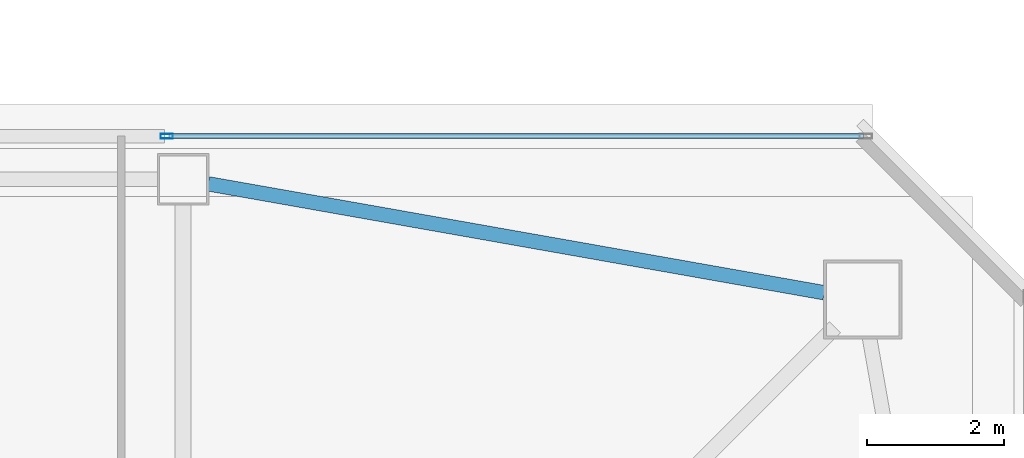
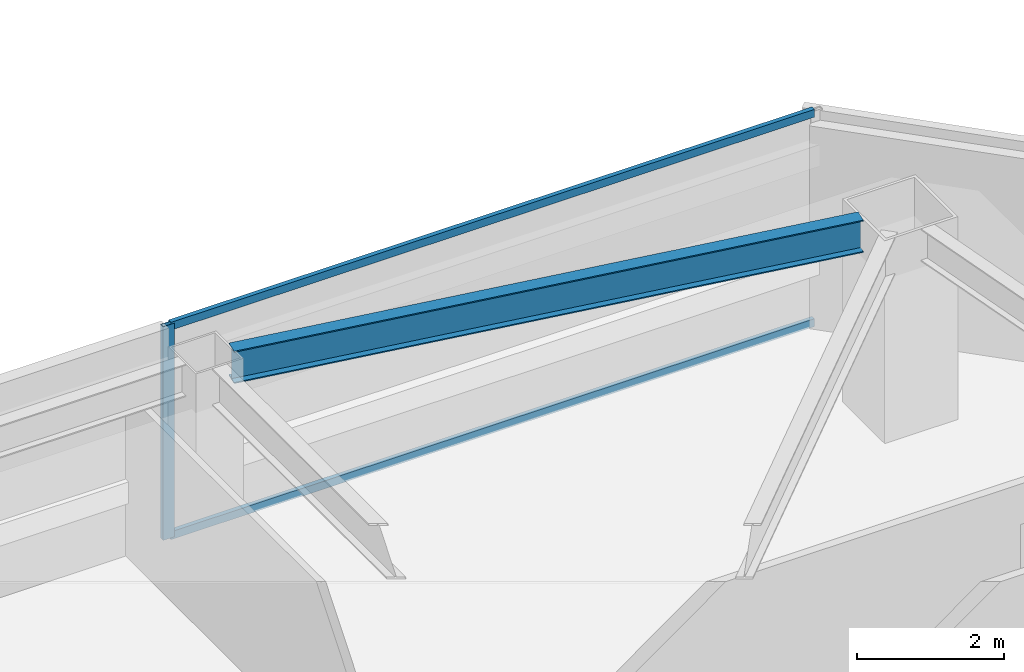
# One storey, part 14 of 41: 3 members, 1 beam, 1 element without a shape of its own.
"""IFC4 building model written with IfcOpenShell, lengths in metres."""

from ifc_helpers import new_model, si_unit, direction, frame, origin, origin_2d, place, context, subcontext, project, spatial, hollow_rectangle, i_section, extrude, material, material_profile, profile_set, type_object, element, aggregate, save


model = new_model("IFC4")

# Units and contexts
model_context = context("Model", 3, precision=1e-05, world=origin(), true_north=direction((0.0, 1.0)))
body_context = subcontext(model_context, "Body", "Model", "MODEL_VIEW")
ifc_project = project(units=[si_unit("LENGTHUNIT", "METRE"), si_unit("AREAUNIT", "SQUARE_METRE"), si_unit("VOLUMEUNIT", "CUBIC_METRE"), si_unit("PLANEANGLEUNIT", "RADIAN"), si_unit("MASSUNIT", "GRAM", prefix="KILO")], contexts=[model_context])

# Site, building, storey
site_placement = place(None, origin())
site = spatial("IfcSite", under=ifc_project, at=site_placement, CompositionType="ELEMENT")
building_placement = place(site_placement, origin())
building = spatial("IfcBuilding", under=site, at=building_placement, Name="Tashvorn Skyway Center", CompositionType="ELEMENT")
storey_placement = place(building_placement, frame((0.0, 0.0, 192.5)))
storey = spatial("IfcBuildingStorey", under=building, at=storey_placement, Name="L52", CompositionType="ELEMENT", Elevation=192.5)

# Beam
ifc_material_1 = material(Name="Steel ASTM A992 Grade 50", Category="steel")
ifc_material_profile_1 = material_profile(ifc_material_1, i_section(OverallWidth=0.2109375, OverallDepth=0.5390625, WebThickness=0.01171875, FlangeThickness=0.018798828125, at=origin_2d()), Name="W21X73")
ifc_profile_set_1 = profile_set([ifc_material_profile_1], Name="Steel ASTM A992 Grade 50")
beam_type = type_object("IfcBeamType", Name="BM-SPANDREL-W21X73", PredefinedType="SPANDREL", material=ifc_profile_set_1)
beam_placement = place(storey_placement, frame((56.73876953125, 47.399169921875, 3.1005859375), z_axis=(-0.984732545667, 0.174074160933, 0.0), x_axis=(-0.174074160933, -0.984732545667, 0.0)))
element("IfcBeam", 1, at=beam_placement, inside=storey, type_object=beam_type, Name="Tower 1 L52 Spandrel Beam 07", PredefinedType="SPANDREL", context=body_context, shape_type="SweptSolid", body=[
    extrude(i_section(OverallWidth=0.2109375, OverallDepth=0.5390625, WebThickness=0.01171875, FlangeThickness=0.018798828125, at=origin_2d()), origin(), (0.0, 0.0, 1.0), 9.113525390625),
])

# Curtain wall, members
ifc_material_2 = material(Name="Thermally broken bronze-anodized aluminium 6063-T6", Category="aluminium")
curtain_wall_type = type_object("IfcCurtainWallType", Name="CW-CW-Z4", PredefinedType="NOTDEFINED", material=ifc_material_2)
curtain_wall_placement = place(storey_placement, origin())
curtain_wall = element("IfcCurtainWall", 2, at=curtain_wall_placement, inside=storey, type_object=curtain_wall_type, Name="Tower 1 L52 North Unitised Curtain Wall Glazing Group 2", PredefinedType="NOTDEFINED")
ifc_material_profile_2 = material_profile(ifc_material_2, hollow_rectangle(XDim=0.070068359375, YDim=0.179931640625, WallThickness=0.00390625, at=origin_2d()), Name="ALU-MULL-70x180")
ifc_profile_set_2 = profile_set([ifc_material_profile_2], Name="Thermally broken bronze-anodized aluminium 6063-T6")
member_type_1 = type_object("IfcMemberType", Name="CWM-CW-Z4", PredefinedType="MULLION", material=ifc_profile_set_2)
member_1_placement = place(storey_placement, frame((47.16162109375, 49.679931640625, 0.0), z_axis=(0.0, 0.0, 1.0), x_axis=(0.0, 1.0, 0.0)))
member_1 = element("IfcMember", 3, at=member_1_placement, type_object=member_type_1, Name="CW-Z4 mullion 1", PredefinedType="MULLION", context=body_context, shape_type="SweptSolid", body=[
    extrude(hollow_rectangle(XDim=0.070068359375, YDim=0.179931640625, WallThickness=0.00390625, at=origin_2d()), origin(), (0.0, 0.0, 1.0), 3.550048828125),
])
ifc_material_profile_3 = material_profile(ifc_material_2, hollow_rectangle(XDim=0.070068359375, YDim=0.1298828125, WallThickness=0.00390625, at=origin_2d()), Name="ALU-TRAN-70x130")
ifc_profile_set_3 = profile_set([ifc_material_profile_3], Name="Thermally broken bronze-anodized aluminium 6063-T6")
member_type_2 = type_object("IfcMemberType", Name="CWT-CW-Z4", PredefinedType="USERDEFINED", material=ifc_profile_set_3)
member_2_placement = place(storey_placement, frame((47.19677734375, 49.679931640625, 0.034912109375), z_axis=(1.0, 0.0, 0.0), x_axis=(0.0, 1.0, 0.0)))
member_2 = element("IfcMember", 4, at=member_2_placement, type_object=member_type_2, Name="CW-Z4 transom 1.1", ObjectType="TRANSOM", PredefinedType="USERDEFINED", context=body_context, shape_type="SweptSolid", body=[
    extrude(hollow_rectangle(XDim=0.070068359375, YDim=0.1298828125, WallThickness=0.00390625, at=origin_2d()), origin(), (0.0, 0.0, 1.0), 10.11328125),
])
member_3_placement = place(storey_placement, frame((47.19677734375, 49.679931640625, 3.514892578125), z_axis=(1.0, 0.0, 0.0), x_axis=(0.0, 1.0, 0.0)))
member_3 = element("IfcMember", 5, at=member_3_placement, type_object=member_type_2, Name="CW-Z4 transom 1.2", ObjectType="TRANSOM", PredefinedType="USERDEFINED", context=body_context, shape_type="SweptSolid", body=[
    extrude(hollow_rectangle(XDim=0.070068359375, YDim=0.1298828125, WallThickness=0.00390625, at=origin_2d()), origin(), (0.0, 0.0, 1.0), 10.11328125),
])
aggregate(curtain_wall, [member_1, member_2, member_3])

save(model, "model.ifc")
